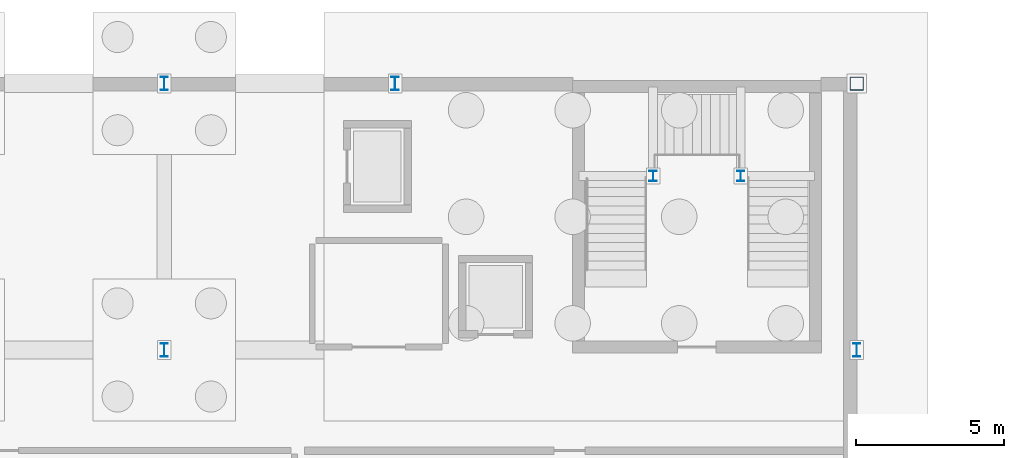
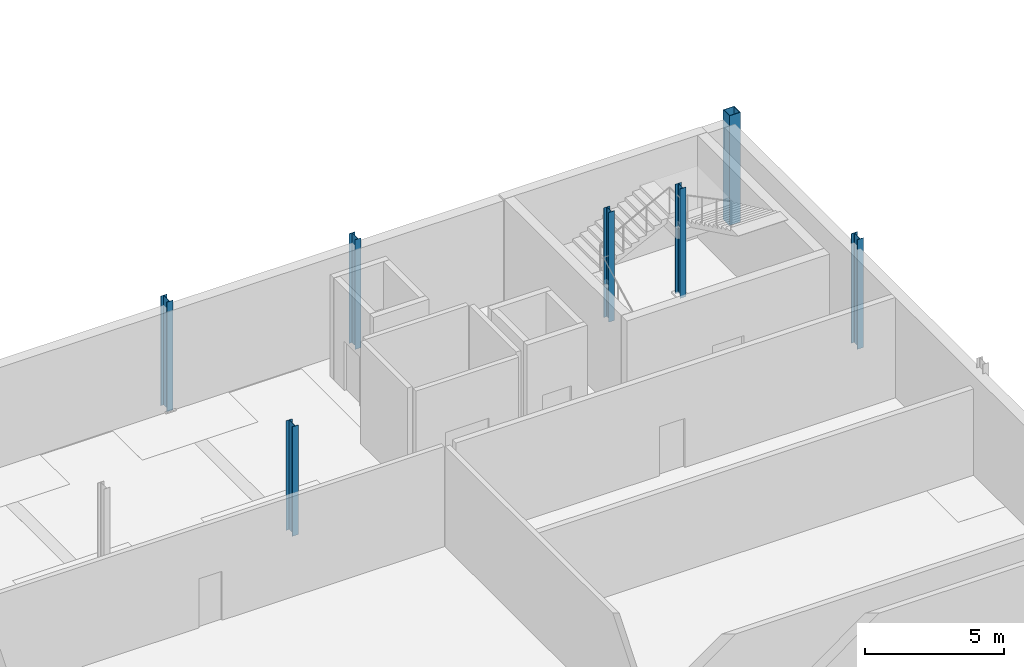
# One storey, part 19 of 32: 7 columns.
"""IFC4 building model written with IfcOpenShell, lengths in metres."""

from ifc_helpers import new_model, si_unit, derived_unit, direction, frame, origin, origin_2d, place, context, subcontext, project, spatial, hollow_rectangle, i_section, extrude, material, material_profile, profile_set, type_object, element, save


model = new_model("IFC4")

# Units and contexts
model_context = context("Model", 3, precision=1e-05, world=origin(), true_north=direction((0.0, 1.0)))
body_context = subcontext(model_context, "Body", "Model", "MODEL_VIEW")
ifc_project = project(units=[si_unit("LENGTHUNIT", "METRE"), si_unit("AREAUNIT", "SQUARE_METRE"), si_unit("VOLUMEUNIT", "CUBIC_METRE"), si_unit("PLANEANGLEUNIT", "RADIAN"), si_unit("MASSUNIT", "GRAM", prefix="KILO"), derived_unit("THERMALTRANSMITTANCEUNIT", [(si_unit("POWERUNIT", "WATT"), 1), (si_unit("LENGTHUNIT", "METRE"), -2), (si_unit("THERMODYNAMICTEMPERATUREUNIT", "KELVIN"), -1)])], contexts=[model_context])

# Site, building, storey
site_placement = place(None, origin())
site = spatial("IfcSite", under=ifc_project, at=site_placement, CompositionType="ELEMENT")
building_placement = place(site_placement, origin())
building = spatial("IfcBuilding", under=site, at=building_placement, Name="Nallur Shell Playhouse", CompositionType="ELEMENT")
storey_placement = place(building_placement, frame((0.0, 0.0, -4.800048828125)))
storey = spatial("IfcBuildingStorey", under=building, at=storey_placement, Name="B1", CompositionType="ELEMENT", Elevation=-4.800048828125)

# Columns
ifc_material = material(Name="Steel E350", Category="steel")
ifc_material_profile_1 = material_profile(ifc_material, hollow_rectangle(XDim=0.449951171875, YDim=0.449951171875, WallThickness=0.02001953125, at=origin_2d()), Name="BOX 450x450x20")
ifc_profile_set_1 = profile_set([ifc_material_profile_1], Name="Steel E350")
column_type_1 = type_object("IfcColumnType", Name="CL-ST-BOX450", PredefinedType="COLUMN", material=ifc_profile_set_1)
column_placement = place(storey_placement, frame((103.0, 83.0, 0.0), z_axis=(0.0, 0.0, 1.0), x_axis=(1.0, 0.0, 0.0)))
element("IfcColumn", 1, at=column_placement, inside=storey, type_object=column_type_1, Name="Column 13-K (B1)", PredefinedType="COLUMN", context=body_context, shape_type="SweptSolid", body=[
    extrude(hollow_rectangle(XDim=0.449951171875, YDim=0.449951171875, WallThickness=0.02001953125, at=origin_2d()), origin(), (0.0, 0.0, 1.0), 4.800048828125),
])
ifc_material_profile_2 = material_profile(ifc_material, i_section(OverallWidth=0.25, OverallDepth=0.35009765625, WebThickness=0.010009765625, FlangeThickness=0.01171875, FilletRadius=0.011962890625, at=origin_2d()), Name="ISHB 350")
ifc_profile_set_2 = profile_set([ifc_material_profile_2], Name="Steel E350")
column_type_2 = type_object("IfcColumnType", Name="CL-ST-ISHB350", PredefinedType="COLUMN", material=ifc_profile_set_2)
for number, where, z_axis, x_axis, name in (
    (2, (96.1201171875, 79.8798828125, 0.0), (0.0, 0.0, 1.0), (1.0, 0.0, 0.0), "Column STW-JC-4-W (B1)"),
    (3, (99.080078125, 79.8798828125, 0.0), (0.0, 0.0, 1.0), (1.0, 0.0, 0.0), "Column STW-JC-4-E (B1)"),
):
    element("IfcColumn", number, at=place(storey_placement, frame(where, z_axis=z_axis, x_axis=x_axis)), inside=storey, type_object=column_type_2, Name=name, PredefinedType="COLUMN", context=body_context, shape_type="SweptSolid", body=[
        extrude(i_section(OverallWidth=0.25, OverallDepth=0.35009765625, WebThickness=0.010009765625, FlangeThickness=0.01171875, FilletRadius=0.011962890625, at=origin_2d()), origin(), (0.0, 0.0, 1.0), 4.800048828125),
    ])
ifc_material_profile_3 = material_profile(ifc_material, i_section(OverallWidth=0.25, OverallDepth=0.449951171875, WebThickness=0.01123046875, FlangeThickness=0.013671875, FilletRadius=0.014892578125, at=origin_2d()), Name="ISHB 450")
ifc_profile_set_3 = profile_set([ifc_material_profile_3], Name="Steel E350")
column_type_3 = type_object("IfcColumnType", Name="CL-ST-ISHB450", PredefinedType="COLUMN", material=ifc_profile_set_3)
for number, where, z_axis, x_axis, name in (
    (4, (79.60009765625, 74.0, 0.0), (0.0, 0.0, 1.0), (1.0, 0.0, 0.0), "Column 10-J (B1)"),
    (5, (79.60009765625, 83.0, 0.0), (0.0, 0.0, 1.0), (1.0, 0.0, 0.0), "Column 10-K (B1)"),
    (6, (87.39990234375, 83.0, 0.0), (0.0, 0.0, 1.0), (1.0, 0.0, 0.0), "Column 11-K (B1)"),
    (7, (103.0, 74.0, 0.0), (0.0, 0.0, 1.0), (1.0, 0.0, 0.0), "Column 13-J (B1)"),
):
    element("IfcColumn", number, at=place(storey_placement, frame(where, z_axis=z_axis, x_axis=x_axis)), inside=storey, type_object=column_type_3, Name=name, PredefinedType="COLUMN", context=body_context, shape_type="SweptSolid", body=[
        extrude(i_section(OverallWidth=0.25, OverallDepth=0.449951171875, WebThickness=0.01123046875, FlangeThickness=0.013671875, FilletRadius=0.014892578125, at=origin_2d()), origin(), (0.0, 0.0, 1.0), 4.800048828125),
    ])

save(model, "model.ifc")
